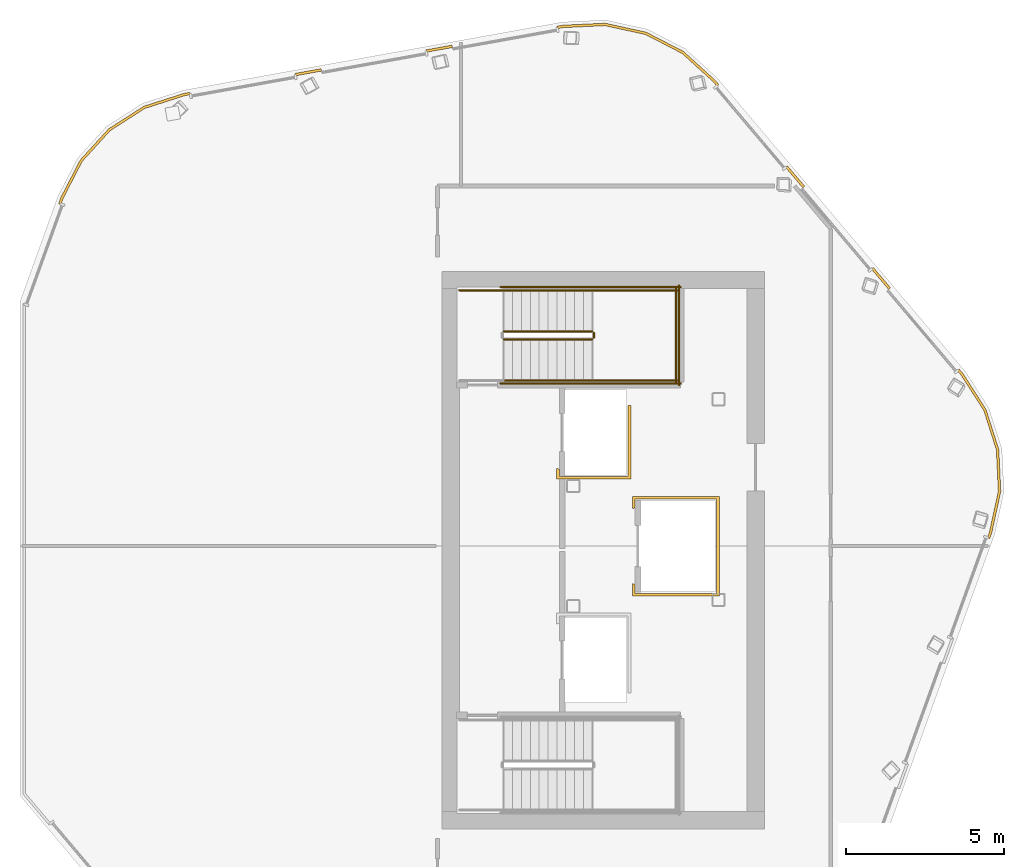
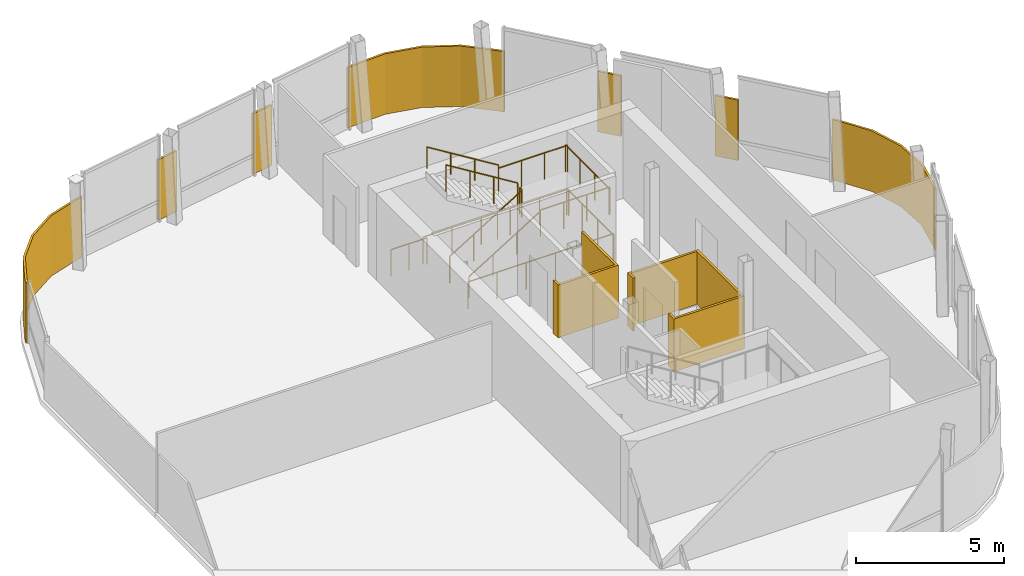
# One storey, part 8 of 8: 12 railings, 9 coverings.
"""IFC4 building model written with IfcOpenShell, lengths in metres."""

from ifc_helpers import new_model, si_unit, direction, frame, origin, origin_2d, place, context, subcontext, project, spatial, polyline, circle, outline, extrude, material, layer, layer_set, type_object, element, save


model = new_model("IFC4")

# Units and contexts
model_context = context("Model", 3, precision=1e-05, world=origin(), true_north=direction((0.0, 1.0)))
body_context = subcontext(model_context, "Body", "Model", "MODEL_VIEW")
ifc_project = project(units=[si_unit("LENGTHUNIT", "METRE"), si_unit("AREAUNIT", "SQUARE_METRE"), si_unit("VOLUMEUNIT", "CUBIC_METRE"), si_unit("PLANEANGLEUNIT", "RADIAN"), si_unit("MASSUNIT", "GRAM", prefix="KILO")], contexts=[model_context])

# Site, building, storey
site_placement = place(None, origin())
site = spatial("IfcSite", under=ifc_project, at=site_placement, CompositionType="ELEMENT")
building_placement = place(site_placement, origin())
building = spatial("IfcBuilding", under=site, at=building_placement, Name="Valkerne Bourse Tower", CompositionType="ELEMENT")
storey_placement = place(building_placement, frame((0.0, 0.0, 326.800048828125)))
storey = spatial("IfcBuildingStorey", under=building, at=storey_placement, Name="L83", CompositionType="ELEMENT", Elevation=326.800048828125)

# Coverings
ifc_material_1 = material(Name="Bronze Anodised Aluminium AA 6063-T6", Category="aluminium")
ifc_layer_1 = layer(ifc_material_1, 0.06005859375)
ifc_layer_set_1 = layer_set([ifc_layer_1], Name="Bronze Anodised Aluminium AA 6063-T6")
covering_type_1 = type_object("IfcCoveringType", Name="COV-CRN-ALUM", PredefinedType="CLADDING", material=ifc_layer_set_1)
covering_1_placement = place(storey_placement, origin())
element("IfcCovering", 1, at=covering_1_placement, inside=storey, type_object=covering_type_1, Name="L83 Wind-Shaped Corner Aluminium Cladding 01", PredefinedType="CLADDING", context=body_context, shape_type="SweptSolid", body=[
    extrude(outline(polyline([(35.636962890625, 40.209716796875), (36.757080078125, 40.9287109375), (38.031494140625, 41.33544921875), (38.2216796875, 41.36962890625), (38.236083984375, 41.291015625), (38.05078125, 41.257568359375), (36.79150390625, 40.855712890625), (35.689208984375, 40.14794921875), (34.807373046875, 39.178955078125), (34.201171875, 38.00439453125), (34.137451171875, 37.827392578125), (34.06201171875, 37.8544921875), (34.127685546875, 38.036376953125), (34.7412109375, 39.22509765625), (35.636962890625, 40.209716796875)])), origin(), (0.0, 0.0, 1.0), 2.5),
])
covering_2_placement = place(storey_placement, origin())
element("IfcCovering", 2, at=covering_2_placement, inside=storey, type_object=covering_type_1, Name="L83 Wind-Shaped Corner Aluminium Cladding 02", PredefinedType="CLADDING", context=body_context, shape_type="SweptSolid", body=[
    extrude(outline(polyline([(42.3671875, 42.115478515625), (42.38134765625, 42.036865234375), (41.5546875, 41.88818359375), (41.540283203125, 41.966796875), (42.3671875, 42.115478515625)])), origin(), (0.0, 0.0, 1.0), 2.5),
])
covering_3_placement = place(storey_placement, origin())
element("IfcCovering", 3, at=covering_3_placement, inside=storey, type_object=covering_type_1, Name="L83 Wind-Shaped Corner Aluminium Cladding 03", PredefinedType="CLADDING", context=body_context, shape_type="SweptSolid", body=[
    extrude(outline(polyline([(46.5126953125, 42.861572265625), (46.52685546875, 42.78271484375), (45.699951171875, 42.634033203125), (45.685791015625, 42.712646484375), (46.5126953125, 42.861572265625)])), origin(), (0.0, 0.0, 1.0), 2.5),
])
covering_4_placement = place(storey_placement, origin())
element("IfcCovering", 4, at=covering_4_placement, inside=storey, type_object=covering_type_1, Name="L83 Wind-Shaped Corner Aluminium Cladding 04", PredefinedType="CLADDING", context=body_context, shape_type="SweptSolid", body=[
    extrude(outline(polyline([(50.021484375, 43.492919921875), (51.35791015625, 43.555908203125), (52.658203125, 43.272216796875), (53.84130859375, 42.66162109375), (54.830810546875, 41.76123046875), (54.955322265625, 41.61376953125), (54.894287109375, 41.562255859375), (54.77294921875, 41.705810546875), (53.795166015625, 42.595458984375), (52.631103515625, 43.1962890625), (51.35107421875, 43.475341796875), (50.030517578125, 43.4130859375), (49.845458984375, 43.3798828125), (49.831298828125, 43.45849609375), (50.021484375, 43.492919921875)])), origin(), (0.0, 0.0, 1.0), 2.5),
])
covering_5_placement = place(storey_placement, origin())
element("IfcCovering", 5, at=covering_5_placement, inside=storey, type_object=covering_type_1, Name="L83 Wind-Shaped Corner Aluminium Cladding 05", PredefinedType="CLADDING", context=body_context, shape_type="SweptSolid", body=[
    extrude(outline(polyline([(57.674072265625, 38.396728515625), (57.61279296875, 38.34521484375), (57.07080078125, 38.986572265625), (57.1318359375, 39.0380859375), (57.674072265625, 38.396728515625)])), origin(), (0.0, 0.0, 1.0), 2.5),
])
covering_6_placement = place(storey_placement, origin())
element("IfcCovering", 6, at=covering_6_placement, inside=storey, type_object=covering_type_1, Name="L83 Wind-Shaped Corner Aluminium Cladding 06", PredefinedType="CLADDING", context=body_context, shape_type="SweptSolid", body=[
    extrude(outline(polyline([(60.392578125, 35.1796875), (60.33154296875, 35.1279296875), (59.78955078125, 35.76953125), (59.8505859375, 35.821044921875), (60.392578125, 35.1796875)])), origin(), (0.0, 0.0, 1.0), 2.5),
])
covering_7_placement = place(storey_placement, origin())
element("IfcCovering", 7, at=covering_7_placement, inside=storey, type_object=covering_type_1, Name="L83 Wind-Shaped Corner Aluminium Cladding 07", PredefinedType="CLADDING", context=body_context, shape_type="SweptSolid", body=[
    extrude(outline(polyline([(62.694091796875, 32.45654296875), (63.41650390625, 31.330810546875), (63.8212890625, 30.0625), (63.884033203125, 28.73291015625), (63.59912109375, 27.42578125), (63.53369140625, 27.244140625), (63.45849609375, 27.271240234375), (63.52197265625, 27.447998046875), (63.8037109375, 28.73974609375), (63.741943359375, 30.04833984375), (63.343505859375, 31.29638671875), (62.62939453125, 32.40869140625), (62.508056640625, 32.552490234375), (62.569091796875, 32.60400390625), (62.694091796875, 32.45654296875)])), origin(), (0.0, 0.0, 1.0), 2.5),
])
ifc_material_2 = material(Name="Gypsum Shaftwall Liner Board", Category="gypsum")
ifc_layer_2 = layer(ifc_material_2, 0.080078125)
ifc_layer_set_2 = layer_set([ifc_layer_2], Name="Gypsum Shaftwall Liner Board")
covering_type_2 = type_object("IfcCoveringType", Name="COV-SHF-CLAD", PredefinedType="CLADDING", material=ifc_layer_set_2)
covering_8_placement = place(storey_placement, origin())
element("IfcCovering", 8, at=covering_8_placement, inside=storey, type_object=covering_type_2, Name="L83 Hoistway & Riser Shaftwall Liner 02", PredefinedType="CLADDING", context=body_context, shape_type="SweptSolid", body=[
    extrude(outline(polyline([(52.219970703125, 25.81787109375), (52.227783203125, 25.814208984375), (52.269287109375, 25.79931640625), (52.31005859375, 25.789306640625), (52.31005859375, 25.510009765625), (54.889892578125, 25.510009765625), (54.889892578125, 28.489990234375), (52.31005859375, 28.489990234375), (52.31005859375, 28.210693359375), (52.269287109375, 28.20068359375), (52.227783203125, 28.185791015625), (52.219970703125, 28.18212890625), (52.219970703125, 28.580078125), (54.97998046875, 28.580078125), (54.97998046875, 25.419921875), (52.219970703125, 25.419921875), (52.219970703125, 25.81787109375)])), origin(), (0.0, 0.0, 1.0), 2.179931640625),
])
covering_9_placement = place(storey_placement, origin())
element("IfcCovering", 9, at=covering_9_placement, inside=storey, type_object=covering_type_2, Name="L83 Hoistway & Riser Shaftwall Liner 03", PredefinedType="CLADDING", context=body_context, shape_type="SweptSolid", body=[
    extrude(outline(polyline([(49.820068359375, 29.468017578125), (49.827880859375, 29.46435546875), (49.869384765625, 29.449462890625), (49.909912109375, 29.439208984375), (49.909912109375, 29.2099609375), (52.090087890625, 29.2099609375), (52.090087890625, 31.449951171875), (52.179931640625, 31.449951171875), (52.179931640625, 29.1201171875), (49.820068359375, 29.1201171875), (49.820068359375, 29.468017578125)])), origin(), (0.0, 0.0, 1.0), 2.179931640625),
])

# Railings
ifc_material_3 = material(Name="Galvanised Painted Steel", Category="steel")
railing_type_1 = type_object("IfcRailingType", Name="RLG-ST-GUARD-1120", PredefinedType="GUARDRAIL", material=ifc_material_3)
railing_1_placement = place(storey_placement, frame((48.14990234375, 33.550048828125, 0.172607421875)))
element("IfcRailing", 10, at=railing_1_placement, inside=storey, type_object=railing_type_1, Name="L83 ST-2 stair guard 1", PredefinedType="GUARDRAIL", context=body_context, shape_type="SweptSolid", body=[
    extrude(circle(Radius=0.02392578125, at=origin_2d()), frame((0.0, 0.0, 1.09619140625), z_axis=(0.851089632645, 0.0, 0.525020415988), x_axis=(0.0, 1.0, 0.0)), (0.0, 0.0, 1.0), 3.2900390625),
    extrude(circle(Radius=0.02099609375, at=origin_2d()), origin(), (0.0, 0.0, 1.0), 1.072021484375),
    extrude(circle(Radius=0.02099609375, at=origin_2d()), frame((0.933349609375, 0.0, 0.57568359375)), (0.0, 0.0, 1.0), 1.072021484375),
    extrude(circle(Radius=0.02099609375, at=origin_2d()), frame((1.86669921875, 0.0, 1.151611328125)), (0.0, 0.0, 1.0), 1.072021484375),
    extrude(circle(Radius=0.02099609375, at=origin_2d()), frame((2.800048828125, 0.0, 1.727294921875)), (0.0, 0.0, 1.0), 1.072021484375),
])
railing_2_placement = place(storey_placement, frame((51.0, 33.60009765625, 1.89990234375)))
element("IfcRailing", 11, at=railing_2_placement, inside=storey, type_object=railing_type_1, Name="L83 ST-2 stair guard 2", PredefinedType="GUARDRAIL", context=body_context, shape_type="SweptSolid", body=[
    extrude(circle(Radius=0.02392578125, at=origin_2d()), frame((0.0, 0.0, 1.09619140625), z_axis=(0.0, 1.0, 0.0), x_axis=(-1.0, 0.0, 0.0)), (0.0, 0.0, 1.0), 0.14990234375),
    extrude(circle(Radius=0.02099609375, at=origin_2d()), origin(), (0.0, 0.0, 1.0), 1.072021484375),
    extrude(circle(Radius=0.02099609375, at=origin_2d()), frame((0.0, 0.14990234375, 0.0)), (0.0, 0.0, 1.0), 1.072021484375),
])
for number, where, name in (
    (12, (50.949951171875, 32.25, 1.89990234375), "L83 ST-2 stair guard 3"),
    (13, (50.949951171875, 35.10009765625, 1.89990234375), "L83 ST-2 stair guard 4"),
):
    element("IfcRailing", number, at=place(storey_placement, frame(where)), inside=storey, type_object=railing_type_1, Name=name, PredefinedType="GUARDRAIL", context=body_context, shape_type="SweptSolid", body=[
        extrude(circle(Radius=0.02392578125, at=origin_2d()), frame((0.0, 0.0, 1.09619140625), z_axis=(1.0, 0.0, 0.0), x_axis=(0.0, 1.0, 0.0)), (0.0, 0.0, 1.0), 2.699951171875),
        extrude(circle(Radius=0.02099609375, at=origin_2d()), origin(), (0.0, 0.0, 1.0), 1.072021484375),
        extrude(circle(Radius=0.02099609375, at=origin_2d()), frame((0.89990234375, 0.0, 0.0)), (0.0, 0.0, 1.0), 1.072021484375),
        extrude(circle(Radius=0.02099609375, at=origin_2d()), frame((1.800048828125, 0.0, 0.0)), (0.0, 0.0, 1.0), 1.072021484375),
        extrude(circle(Radius=0.02099609375, at=origin_2d()), frame((2.699951171875, 0.0, 0.0)), (0.0, 0.0, 1.0), 1.072021484375),
    ])
railing_3_placement = place(storey_placement, frame((53.60009765625, 32.199951171875, 1.89990234375)))
element("IfcRailing", 14, at=railing_3_placement, inside=storey, type_object=railing_type_1, Name="L83 ST-2 stair guard 5", PredefinedType="GUARDRAIL", context=body_context, shape_type="SweptSolid", body=[
    extrude(circle(Radius=0.02392578125, at=origin_2d()), frame((0.0, 0.0, 1.09619140625), z_axis=(0.0, 1.0, 0.0), x_axis=(-1.0, 0.0, 0.0)), (0.0, 0.0, 1.0), 2.949951171875),
    extrude(circle(Radius=0.02099609375, at=origin_2d()), origin(), (0.0, 0.0, 1.0), 1.072021484375),
    extrude(circle(Radius=0.02099609375, at=origin_2d()), frame((0.0, 0.9833984375, 0.0)), (0.0, 0.0, 1.0), 1.072021484375),
    extrude(circle(Radius=0.02099609375, at=origin_2d()), frame((0.0, 1.966552734375, 0.0)), (0.0, 0.0, 1.0), 1.072021484375),
    extrude(circle(Radius=0.02099609375, at=origin_2d()), frame((0.0, 2.949951171875, 0.0)), (0.0, 0.0, 1.0), 1.072021484375),
])
railing_4_placement = place(storey_placement, frame((50.949951171875, 33.800048828125, 2.07275390625)))
element("IfcRailing", 15, at=railing_4_placement, inside=storey, type_object=railing_type_1, Name="L83 ST-2 stair guard 6", PredefinedType="GUARDRAIL", context=body_context, shape_type="SweptSolid", body=[
    extrude(circle(Radius=0.02392578125, at=origin_2d()), frame((0.0, 0.0, 1.09619140625), z_axis=(-0.851089632645, 0.0, 0.525020415988), x_axis=(0.0, -1.0, 0.0)), (0.0, 0.0, 1.0), 3.2900390625),
    extrude(circle(Radius=0.02099609375, at=origin_2d()), origin(), (0.0, 0.0, 1.0), 1.072021484375),
    extrude(circle(Radius=0.02099609375, at=origin_2d()), frame((-0.933349609375, 0.0, 0.57568359375)), (0.0, 0.0, 1.0), 1.072021484375),
    extrude(circle(Radius=0.02099609375, at=origin_2d()), frame((-1.86669921875, 0.0, 1.151611328125)), (0.0, 0.0, 1.0), 1.072021484375),
    extrude(circle(Radius=0.02099609375, at=origin_2d()), frame((-2.800048828125, 0.0, 1.727294921875)), (0.0, 0.0, 1.0), 1.072021484375),
])
railing_5_placement = place(storey_placement, frame((46.75, 35.10009765625, 0.0)))
element("IfcRailing", 16, at=railing_5_placement, inside=storey, type_object=railing_type_1, Name="L83 ST-2 stair guard 9", PredefinedType="GUARDRAIL", context=body_context, shape_type="SweptSolid", body=[
    extrude(circle(Radius=0.02392578125, at=origin_2d()), frame((0.0, 0.0, 1.09619140625), z_axis=(1.0, 0.0, 0.0), x_axis=(0.0, 1.0, 0.0)), (0.0, 0.0, 1.0), 1.39990234375),
    extrude(circle(Radius=0.02099609375, at=origin_2d()), origin(), (0.0, 0.0, 1.0), 1.072021484375),
    extrude(circle(Radius=0.02099609375, at=origin_2d()), frame((0.699951171875, 0.0, 0.0)), (0.0, 0.0, 1.0), 1.072021484375),
    extrude(circle(Radius=0.02099609375, at=origin_2d()), frame((1.39990234375, 0.0, 0.0)), (0.0, 0.0, 1.0), 1.072021484375),
])
for number, where, name in (
    (17, (48.050048828125, 32.14990234375, 0.0), "L83 ST-2 stair guard 10"),
    (18, (48.050048828125, 35.199951171875, 0.0), "L83 ST-2 stair guard 11"),
):
    element("IfcRailing", number, at=place(storey_placement, frame(where)), inside=storey, type_object=railing_type_1, Name=name, PredefinedType="GUARDRAIL", context=body_context, shape_type="SweptSolid", body=[
        extrude(circle(Radius=0.02392578125, at=origin_2d()), frame((0.0, 0.0, 1.09619140625), z_axis=(1.0, 0.0, 0.0), x_axis=(0.0, 1.0, 0.0)), (0.0, 0.0, 1.0), 5.699951171875),
        extrude(circle(Radius=0.02099609375, at=origin_2d()), origin(), (0.0, 0.0, 1.0), 1.072021484375),
        extrude(circle(Radius=0.02099609375, at=origin_2d()), frame((1.139892578125, 0.0, 0.0)), (0.0, 0.0, 1.0), 1.072021484375),
        extrude(circle(Radius=0.02099609375, at=origin_2d()), frame((2.280029296875, 0.0, 0.0)), (0.0, 0.0, 1.0), 1.072021484375),
        extrude(circle(Radius=0.02099609375, at=origin_2d()), frame((3.419921875, 0.0, 0.0)), (0.0, 0.0, 1.0), 1.072021484375),
        extrude(circle(Radius=0.02099609375, at=origin_2d()), frame((4.56005859375, 0.0, 0.0)), (0.0, 0.0, 1.0), 1.072021484375),
        extrude(circle(Radius=0.02099609375, at=origin_2d()), frame((5.699951171875, 0.0, 0.0)), (0.0, 0.0, 1.0), 1.072021484375),
    ])
railing_6_placement = place(storey_placement, frame((53.699951171875, 32.10009765625, 0.0)))
element("IfcRailing", 19, at=railing_6_placement, inside=storey, type_object=railing_type_1, Name="L83 ST-2 stair guard 12", PredefinedType="GUARDRAIL", context=body_context, shape_type="SweptSolid", body=[
    extrude(circle(Radius=0.02392578125, at=origin_2d()), frame((0.0, 0.0, 1.09619140625), z_axis=(0.0, 1.0, 0.0), x_axis=(-1.0, 0.0, 0.0)), (0.0, 0.0, 1.0), 3.14990234375),
    extrude(circle(Radius=0.02099609375, at=origin_2d()), origin(), (0.0, 0.0, 1.0), 1.072021484375),
    extrude(circle(Radius=0.02099609375, at=origin_2d()), frame((0.0, 1.050048828125, 0.0)), (0.0, 0.0, 1.0), 1.072021484375),
    extrude(circle(Radius=0.02099609375, at=origin_2d()), frame((0.0, 2.099853515625, 0.0)), (0.0, 0.0, 1.0), 1.072021484375),
    extrude(circle(Radius=0.02099609375, at=origin_2d()), frame((0.0, 3.14990234375, 0.0)), (0.0, 0.0, 1.0), 1.072021484375),
])
ifc_material_4 = material(Name="Stainless Steel AISI 316", Category="steel")
railing_type_2 = type_object("IfcRailingType", Name="RLG-ST-HANDRAIL-900", PredefinedType="HANDRAIL", material=ifc_material_4)
railing_7_placement = place(storey_placement, frame((48.14990234375, 32.25, 0.345458984375)))
element("IfcRailing", 20, at=railing_7_placement, inside=storey, type_object=railing_type_2, Name="L83 ST-2 stair handrail 1", PredefinedType="HANDRAIL", context=body_context, shape_type="SweptSolid", body=[
    extrude(circle(Radius=0.02392578125, at=origin_2d()), frame((0.0, 0.0, 0.8759765625), z_axis=(0.851089632645, 0.0, 0.525020415988), x_axis=(0.0, 1.0, 0.0)), (0.0, 0.0, 1.0), 3.2900390625),
    extrude(circle(Radius=0.02099609375, at=origin_2d()), origin(), (0.0, 0.0, 1.0), 0.851806640625),
    extrude(circle(Radius=0.02099609375, at=origin_2d()), frame((0.933349609375, 0.0, 0.57568359375)), (0.0, 0.0, 1.0), 0.851806640625),
    extrude(circle(Radius=0.02099609375, at=origin_2d()), frame((1.86669921875, 0.0, 1.151611328125)), (0.0, 0.0, 1.0), 0.851806640625),
    extrude(circle(Radius=0.02099609375, at=origin_2d()), frame((2.800048828125, 0.0, 1.727294921875)), (0.0, 0.0, 1.0), 0.851806640625),
])
railing_8_placement = place(storey_placement, frame((50.949951171875, 35.10009765625, 2.245361328125)))
element("IfcRailing", 21, at=railing_8_placement, inside=storey, type_object=railing_type_2, Name="L83 ST-2 stair handrail 2", PredefinedType="HANDRAIL", context=body_context, shape_type="SweptSolid", body=[
    extrude(circle(Radius=0.02392578125, at=origin_2d()), frame((0.0, 0.0, 0.8759765625), z_axis=(-0.851089632645, 0.0, 0.525020415988), x_axis=(0.0, -1.0, 0.0)), (0.0, 0.0, 1.0), 3.2900390625),
    extrude(circle(Radius=0.02099609375, at=origin_2d()), origin(), (0.0, 0.0, 1.0), 0.851806640625),
    extrude(circle(Radius=0.02099609375, at=origin_2d()), frame((-0.933349609375, 0.0, 0.57568359375)), (0.0, 0.0, 1.0), 0.851806640625),
    extrude(circle(Radius=0.02099609375, at=origin_2d()), frame((-1.86669921875, 0.0, 1.151611328125)), (0.0, 0.0, 1.0), 0.851806640625),
    extrude(circle(Radius=0.02099609375, at=origin_2d()), frame((-2.800048828125, 0.0, 1.727294921875)), (0.0, 0.0, 1.0), 0.851806640625),
])

save(model, "model.ifc")
